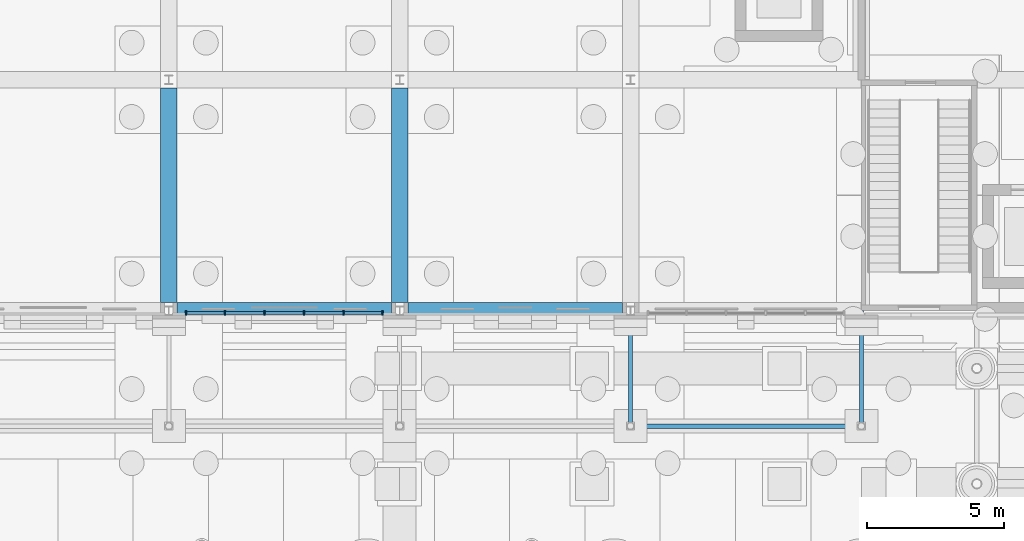
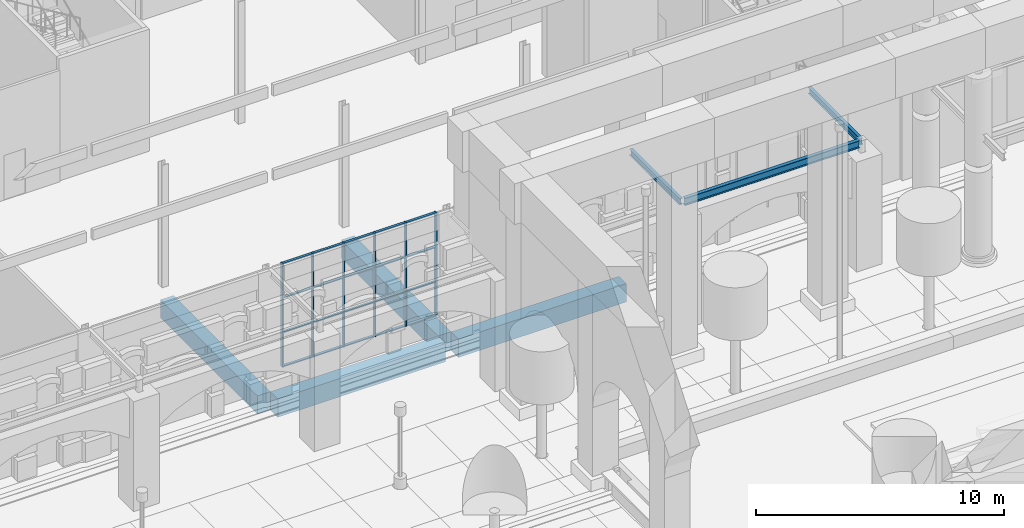
# One storey, part 39 of 222: 26 members, 7 beams, 1 element without a shape of its own.
"""IFC4 building model written with IfcOpenShell, lengths in metres."""

from ifc_helpers import new_model, si_unit, direction, frame, origin, origin_2d, place, context, subcontext, project, spatial, rectangle, i_section, extrude, material, material_profile, profile_set, type_object, element, aggregate, save


model = new_model("IFC4")

# Units and contexts
model_context = context("Model", 3, precision=1e-05, world=origin(), true_north=direction((0.0, 1.0)))
body_context = subcontext(model_context, "Body", "Model", "MODEL_VIEW")
ifc_project = project(units=[si_unit("LENGTHUNIT", "METRE"), si_unit("AREAUNIT", "SQUARE_METRE"), si_unit("VOLUMEUNIT", "CUBIC_METRE"), si_unit("PLANEANGLEUNIT", "RADIAN"), si_unit("MASSUNIT", "GRAM", prefix="KILO")], contexts=[model_context])

# Site, building, storey
site_placement = place(None, origin())
site = spatial("IfcSite", under=ifc_project, at=site_placement, CompositionType="ELEMENT")
building_placement = place(site_placement, origin())
building = spatial("IfcBuilding", under=site, at=building_placement, Name="Sava Quay Ferry Terminal", CompositionType="ELEMENT")
storey_placement = place(building_placement, origin())
storey = spatial("IfcBuildingStorey", under=building, at=storey_placement, Name="L00", CompositionType="ELEMENT", Elevation=0.0)

# Beams
ifc_material_1 = material(Name="Steel S355", Category="steel")
ifc_material_profile_1 = material_profile(ifc_material_1, i_section(OverallWidth=0.14990234375, OverallDepth=0.300048828125, WebThickness=0.007080078125, FlangeThickness=0.0107421875, at=origin_2d()), Name="IPE 300")
ifc_profile_set_1 = profile_set([ifc_material_profile_1], Name="Steel S355")
beam_type_1 = type_object("IfcBeamType", Name="Beam IPE 300", PredefinedType="BEAM", material=ifc_profile_set_1)
beam_1_placement = place(storey_placement, frame((33.60009765625, 21.0, 5.85009765625), z_axis=(0.0, 1.0, 0.0), x_axis=(-1.0, 0.0, 0.0)))
element("IfcBeam", 1, at=beam_1_placement, inside=storey, type_object=beam_type_1, Name="Arcade roof beam", PredefinedType="BEAM", context=body_context, shape_type="SweptSolid", body=[
    extrude(i_section(OverallWidth=0.14990234375, OverallDepth=0.300048828125, WebThickness=0.007080078125, FlangeThickness=0.0107421875, at=origin_2d()), origin(), (0.0, 0.0, 1.0), 4.050048828125),
])
beam_2_placement = place(storey_placement, frame((42.0, 21.0, 5.85009765625), z_axis=(0.0, 1.0, 0.0), x_axis=(-1.0, 0.0, 0.0)))
element("IfcBeam", 2, at=beam_2_placement, inside=storey, type_object=beam_type_1, Name="Arcade roof beam", PredefinedType="BEAM", context=body_context, shape_type="SweptSolid", body=[
    extrude(i_section(OverallWidth=0.14990234375, OverallDepth=0.300048828125, WebThickness=0.007080078125, FlangeThickness=0.0107421875, at=origin_2d()), origin(), (0.0, 0.0, 1.0), 4.199951171875),
])
ifc_material_2 = material(Name="Steel S355", Category="steel")
ifc_material_profile_2 = material_profile(ifc_material_2, i_section(OverallWidth=0.169921875, OverallDepth=0.360107421875, WebThickness=0.008056640625, FlangeThickness=0.0126953125, at=origin_2d()), Name="IPE 360")
ifc_profile_set_2 = profile_set([ifc_material_profile_2], Name="Steel S355")
beam_type_2 = type_object("IfcBeamType", Name="Beam IPE 360", PredefinedType="BEAM", material=ifc_profile_set_2)
beam_3_placement = place(storey_placement, frame((33.736572265625, 21.0, 5.820068359375), z_axis=(1.0, 0.0, 0.0), x_axis=(0.0, 1.0, 0.0)))
element("IfcBeam", 3, at=beam_3_placement, inside=storey, type_object=beam_type_2, Name="Arcade edge beam", PredefinedType="BEAM", context=body_context, shape_type="SweptSolid", body=[
    extrude(i_section(OverallWidth=0.169921875, OverallDepth=0.360107421875, WebThickness=0.008056640625, FlangeThickness=0.0126953125, at=origin_2d()), origin(), (0.0, 0.0, 1.0), 8.126953125),
])

# Curtain wall, members
ifc_material_3 = material(Name="Aluminium and glass curtain wall, double low-e glazed", Category="aluminium")
curtain_wall_type = type_object("IfcCurtainWallType", Name="Curtain wall CW-F flank", PredefinedType="NOTDEFINED", material=ifc_material_3)
curtain_wall_placement = place(storey_placement, origin())
curtain_wall = element("IfcCurtainWall", 4, at=curtain_wall_placement, inside=storey, type_object=curtain_wall_type, Name="Curtain wall W-S L00 bay 3", PredefinedType="NOTDEFINED")
ifc_material_4 = material(Name="Aluminium EN AW-6063 T6", Category="aluminium")
ifc_material_profile_3 = material_profile(ifc_material_4, rectangle(XDim=0.14990234375, YDim=0.06005859375, at=origin_2d()), Name="Mullion 60x150 aluminium")
ifc_profile_set_3 = profile_set([ifc_material_profile_3], Name="Aluminium EN AW-6063 T6")
member_type_1 = type_object("IfcMemberType", Name="Mullion 60x150 aluminium", PredefinedType="MULLION", material=ifc_profile_set_3)
member_1_placement = place(storey_placement, frame((17.429931640625, 25.114990234375, 0.89990234375), z_axis=(0.0, 0.0, 1.0), x_axis=(0.0, 1.0, 0.0)))
member_1 = element("IfcMember", 5, at=member_1_placement, type_object=member_type_1, Name="CW131 mullion 1", PredefinedType="MULLION", context=body_context, shape_type="SweptSolid", body=[
    extrude(rectangle(XDim=0.14990234375, YDim=0.06005859375, at=origin_2d()), origin(), (0.0, 0.0, 1.0), 5.10009765625),
])
member_2_placement = place(storey_placement, frame((18.840087890625, 25.114990234375, 0.89990234375), z_axis=(0.0, 0.0, 1.0), x_axis=(0.0, 1.0, 0.0)))
member_2 = element("IfcMember", 6, at=member_2_placement, type_object=member_type_1, Name="CW131 mullion 2", PredefinedType="MULLION", context=body_context, shape_type="SweptSolid", body=[
    extrude(rectangle(XDim=0.14990234375, YDim=0.06005859375, at=origin_2d()), origin(), (0.0, 0.0, 1.0), 5.10009765625),
])
member_3_placement = place(storey_placement, frame((20.280029296875, 25.114990234375, 0.89990234375), z_axis=(0.0, 0.0, 1.0), x_axis=(0.0, 1.0, 0.0)))
member_3 = element("IfcMember", 7, at=member_3_placement, type_object=member_type_1, Name="CW131 mullion 3", PredefinedType="MULLION", context=body_context, shape_type="SweptSolid", body=[
    extrude(rectangle(XDim=0.14990234375, YDim=0.06005859375, at=origin_2d()), origin(), (0.0, 0.0, 1.0), 5.10009765625),
])
member_4_placement = place(storey_placement, frame((21.719970703125, 25.114990234375, 0.89990234375), z_axis=(0.0, 0.0, 1.0), x_axis=(0.0, 1.0, 0.0)))
member_4 = element("IfcMember", 8, at=member_4_placement, type_object=member_type_1, Name="CW131 mullion 4", PredefinedType="MULLION", context=body_context, shape_type="SweptSolid", body=[
    extrude(rectangle(XDim=0.14990234375, YDim=0.06005859375, at=origin_2d()), origin(), (0.0, 0.0, 1.0), 5.10009765625),
])
member_5_placement = place(storey_placement, frame((23.159912109375, 25.114990234375, 0.89990234375), z_axis=(0.0, 0.0, 1.0), x_axis=(0.0, 1.0, 0.0)))
member_5 = element("IfcMember", 9, at=member_5_placement, type_object=member_type_1, Name="CW131 mullion 5", PredefinedType="MULLION", context=body_context, shape_type="SweptSolid", body=[
    extrude(rectangle(XDim=0.14990234375, YDim=0.06005859375, at=origin_2d()), origin(), (0.0, 0.0, 1.0), 5.10009765625),
])
member_6_placement = place(storey_placement, frame((24.570068359375, 25.114990234375, 0.89990234375), z_axis=(0.0, 0.0, 1.0), x_axis=(0.0, 1.0, 0.0)))
member_6 = element("IfcMember", 10, at=member_6_placement, type_object=member_type_1, Name="CW131 mullion 6", PredefinedType="MULLION", context=body_context, shape_type="SweptSolid", body=[
    extrude(rectangle(XDim=0.14990234375, YDim=0.06005859375, at=origin_2d()), origin(), (0.0, 0.0, 1.0), 5.10009765625),
])

# Beams
ifc_material_5 = material(Name="Concrete C40/50", Category="concrete")
ifc_material_profile_4 = material_profile(ifc_material_5, rectangle(XDim=0.60009765625, YDim=0.89990234375, at=origin_2d()), Name="RC 600x900")
ifc_profile_set_4 = profile_set([ifc_material_profile_4], Name="Concrete C40/50")
beam_type_3 = type_object("IfcBeamType", Name="RC deck beam 600x900", PredefinedType="BEAM", material=ifc_profile_set_4)
beam_4_placement = place(storey_placement, frame((17.10009765625, 25.199951171875, -0.89990234375), z_axis=(1.0, 0.0, 0.0), x_axis=(0.0, 1.0, 0.0)))
element("IfcBeam", 11, at=beam_4_placement, inside=storey, type_object=beam_type_3, Name="Deck beam X25.2-16.8", PredefinedType="BEAM", context=body_context, shape_type="SweptSolid", body=[
    extrude(rectangle(XDim=0.60009765625, YDim=0.89990234375, at=origin_2d()), origin(), (0.0, 0.0, 1.0), 7.7998046875),
])
for number, where, z_axis, x_axis, name in (
    (12, (25.5, 25.199951171875, -0.89990234375), (1.0, 0.0, 0.0), (0.0, 1.0, 0.0), "Deck beam X25.2-25.2"),
    (13, (16.800048828125, 25.5, -0.89990234375), (0.0, 1.0, 0.0), (-1.0, 0.0, 0.0), "Deck beam Y16.8-25.2"),
    (14, (25.199951171875, 25.5, -0.89990234375), (0.0, 1.0, 0.0), (-1.0, 0.0, 0.0), "Deck beam Y25.2-25.2"),
):
    element("IfcBeam", number, at=place(storey_placement, frame(where, z_axis=z_axis, x_axis=x_axis)), inside=storey, type_object=beam_type_3, Name=name, PredefinedType="BEAM", context=body_context, shape_type="SweptSolid", body=[
        extrude(rectangle(XDim=0.60009765625, YDim=0.89990234375, at=origin_2d()), origin(), (0.0, 0.0, 1.0), 7.800048828125),
    ])

# Member
ifc_material_6 = material(Name="Aluminium EN AW-6063 T6", Category="aluminium")
ifc_material_profile_5 = material_profile(ifc_material_6, rectangle(XDim=0.1201171875, YDim=0.050048828125, at=origin_2d()), Name="Transom 50x120 aluminium")
ifc_profile_set_5 = profile_set([ifc_material_profile_5], Name="Aluminium EN AW-6063 T6")
member_type_2 = type_object("IfcMemberType", Name="Transom 50x120 aluminium", PredefinedType="USERDEFINED", material=ifc_profile_set_5)
member_7_placement = place(storey_placement, frame((17.4599609375, 25.114990234375, 0.925048828125), z_axis=(1.0, 0.0, 0.0), x_axis=(0.0, 1.0, 0.0)))
member_7 = element("IfcMember", 15, at=member_7_placement, type_object=member_type_2, Name="CW131 transom 1.1", ObjectType="TRANSOM", PredefinedType="USERDEFINED", context=body_context, shape_type="SweptSolid", body=[
    extrude(rectangle(XDim=0.1201171875, YDim=0.050048828125, at=origin_2d()), origin(), (0.0, 0.0, 1.0), 1.35009765625),
])

member_8_placement = place(storey_placement, frame((17.4599609375, 25.114990234375, 2.60009765625), z_axis=(1.0, 0.0, 0.0), x_axis=(0.0, 1.0, 0.0)))
member_8 = element("IfcMember", 16, at=member_8_placement, type_object=member_type_2, Name="CW131 transom 1.2", ObjectType="TRANSOM", PredefinedType="USERDEFINED", context=body_context, shape_type="SweptSolid", body=[
    extrude(rectangle(XDim=0.1201171875, YDim=0.050048828125, at=origin_2d()), origin(), (0.0, 0.0, 1.0), 1.35009765625),
])

member_9_placement = place(storey_placement, frame((17.4599609375, 25.114990234375, 4.300048828125), z_axis=(1.0, 0.0, 0.0), x_axis=(0.0, 1.0, 0.0)))
member_9 = element("IfcMember", 17, at=member_9_placement, type_object=member_type_2, Name="CW131 transom 1.3", ObjectType="TRANSOM", PredefinedType="USERDEFINED", context=body_context, shape_type="SweptSolid", body=[
    extrude(rectangle(XDim=0.1201171875, YDim=0.050048828125, at=origin_2d()), origin(), (0.0, 0.0, 1.0), 1.35009765625),
])

member_10_placement = place(storey_placement, frame((17.4599609375, 25.114990234375, 5.97509765625), z_axis=(1.0, 0.0, 0.0), x_axis=(0.0, 1.0, 0.0)))
member_10 = element("IfcMember", 18, at=member_10_placement, type_object=member_type_2, Name="CW131 transom 1.4", ObjectType="TRANSOM", PredefinedType="USERDEFINED", context=body_context, shape_type="SweptSolid", body=[
    extrude(rectangle(XDim=0.1201171875, YDim=0.050048828125, at=origin_2d()), origin(), (0.0, 0.0, 1.0), 1.35009765625),
])

member_11_placement = place(storey_placement, frame((18.8701171875, 25.114990234375, 0.925048828125), z_axis=(1.0, 0.0, 0.0), x_axis=(0.0, 1.0, 0.0)))
member_11 = element("IfcMember", 19, at=member_11_placement, type_object=member_type_2, Name="CW131 transom 2.1", ObjectType="TRANSOM", PredefinedType="USERDEFINED", context=body_context, shape_type="SweptSolid", body=[
    extrude(rectangle(XDim=0.1201171875, YDim=0.050048828125, at=origin_2d()), origin(), (0.0, 0.0, 1.0), 1.3798828125),
])

member_12_placement = place(storey_placement, frame((18.8701171875, 25.114990234375, 2.60009765625), z_axis=(1.0, 0.0, 0.0), x_axis=(0.0, 1.0, 0.0)))
member_12 = element("IfcMember", 20, at=member_12_placement, type_object=member_type_2, Name="CW131 transom 2.2", ObjectType="TRANSOM", PredefinedType="USERDEFINED", context=body_context, shape_type="SweptSolid", body=[
    extrude(rectangle(XDim=0.1201171875, YDim=0.050048828125, at=origin_2d()), origin(), (0.0, 0.0, 1.0), 1.3798828125),
])

member_13_placement = place(storey_placement, frame((18.8701171875, 25.114990234375, 4.300048828125), z_axis=(1.0, 0.0, 0.0), x_axis=(0.0, 1.0, 0.0)))
member_13 = element("IfcMember", 21, at=member_13_placement, type_object=member_type_2, Name="CW131 transom 2.3", ObjectType="TRANSOM", PredefinedType="USERDEFINED", context=body_context, shape_type="SweptSolid", body=[
    extrude(rectangle(XDim=0.1201171875, YDim=0.050048828125, at=origin_2d()), origin(), (0.0, 0.0, 1.0), 1.3798828125),
])

member_14_placement = place(storey_placement, frame((18.8701171875, 25.114990234375, 5.97509765625), z_axis=(1.0, 0.0, 0.0), x_axis=(0.0, 1.0, 0.0)))
member_14 = element("IfcMember", 22, at=member_14_placement, type_object=member_type_2, Name="CW131 transom 2.4", ObjectType="TRANSOM", PredefinedType="USERDEFINED", context=body_context, shape_type="SweptSolid", body=[
    extrude(rectangle(XDim=0.1201171875, YDim=0.050048828125, at=origin_2d()), origin(), (0.0, 0.0, 1.0), 1.3798828125),
])

member_15_placement = place(storey_placement, frame((20.31005859375, 25.114990234375, 0.925048828125), z_axis=(1.0, 0.0, 0.0), x_axis=(0.0, 1.0, 0.0)))
member_15 = element("IfcMember", 23, at=member_15_placement, type_object=member_type_2, Name="CW131 transom 3.1", ObjectType="TRANSOM", PredefinedType="USERDEFINED", context=body_context, shape_type="SweptSolid", body=[
    extrude(rectangle(XDim=0.1201171875, YDim=0.050048828125, at=origin_2d()), origin(), (0.0, 0.0, 1.0), 1.3798828125),
])

member_16_placement = place(storey_placement, frame((20.31005859375, 25.114990234375, 2.60009765625), z_axis=(1.0, 0.0, 0.0), x_axis=(0.0, 1.0, 0.0)))
member_16 = element("IfcMember", 24, at=member_16_placement, type_object=member_type_2, Name="CW131 transom 3.2", ObjectType="TRANSOM", PredefinedType="USERDEFINED", context=body_context, shape_type="SweptSolid", body=[
    extrude(rectangle(XDim=0.1201171875, YDim=0.050048828125, at=origin_2d()), origin(), (0.0, 0.0, 1.0), 1.3798828125),
])

member_17_placement = place(storey_placement, frame((20.31005859375, 25.114990234375, 4.300048828125), z_axis=(1.0, 0.0, 0.0), x_axis=(0.0, 1.0, 0.0)))
member_17 = element("IfcMember", 25, at=member_17_placement, type_object=member_type_2, Name="CW131 transom 3.3", ObjectType="TRANSOM", PredefinedType="USERDEFINED", context=body_context, shape_type="SweptSolid", body=[
    extrude(rectangle(XDim=0.1201171875, YDim=0.050048828125, at=origin_2d()), origin(), (0.0, 0.0, 1.0), 1.3798828125),
])

member_18_placement = place(storey_placement, frame((20.31005859375, 25.114990234375, 5.97509765625), z_axis=(1.0, 0.0, 0.0), x_axis=(0.0, 1.0, 0.0)))
member_18 = element("IfcMember", 26, at=member_18_placement, type_object=member_type_2, Name="CW131 transom 3.4", ObjectType="TRANSOM", PredefinedType="USERDEFINED", context=body_context, shape_type="SweptSolid", body=[
    extrude(rectangle(XDim=0.1201171875, YDim=0.050048828125, at=origin_2d()), origin(), (0.0, 0.0, 1.0), 1.3798828125),
])

member_19_placement = place(storey_placement, frame((21.75, 25.114990234375, 0.925048828125), z_axis=(1.0, 0.0, 0.0), x_axis=(0.0, 1.0, 0.0)))
member_19 = element("IfcMember", 27, at=member_19_placement, type_object=member_type_2, Name="CW131 transom 4.1", ObjectType="TRANSOM", PredefinedType="USERDEFINED", context=body_context, shape_type="SweptSolid", body=[
    extrude(rectangle(XDim=0.1201171875, YDim=0.050048828125, at=origin_2d()), origin(), (0.0, 0.0, 1.0), 1.3798828125),
])

member_20_placement = place(storey_placement, frame((21.75, 25.114990234375, 2.60009765625), z_axis=(1.0, 0.0, 0.0), x_axis=(0.0, 1.0, 0.0)))
member_20 = element("IfcMember", 28, at=member_20_placement, type_object=member_type_2, Name="CW131 transom 4.2", ObjectType="TRANSOM", PredefinedType="USERDEFINED", context=body_context, shape_type="SweptSolid", body=[
    extrude(rectangle(XDim=0.1201171875, YDim=0.050048828125, at=origin_2d()), origin(), (0.0, 0.0, 1.0), 1.3798828125),
])

member_21_placement = place(storey_placement, frame((21.75, 25.114990234375, 4.300048828125), z_axis=(1.0, 0.0, 0.0), x_axis=(0.0, 1.0, 0.0)))
member_21 = element("IfcMember", 29, at=member_21_placement, type_object=member_type_2, Name="CW131 transom 4.3", ObjectType="TRANSOM", PredefinedType="USERDEFINED", context=body_context, shape_type="SweptSolid", body=[
    extrude(rectangle(XDim=0.1201171875, YDim=0.050048828125, at=origin_2d()), origin(), (0.0, 0.0, 1.0), 1.3798828125),
])

member_22_placement = place(storey_placement, frame((21.75, 25.114990234375, 5.97509765625), z_axis=(1.0, 0.0, 0.0), x_axis=(0.0, 1.0, 0.0)))
member_22 = element("IfcMember", 30, at=member_22_placement, type_object=member_type_2, Name="CW131 transom 4.4", ObjectType="TRANSOM", PredefinedType="USERDEFINED", context=body_context, shape_type="SweptSolid", body=[
    extrude(rectangle(XDim=0.1201171875, YDim=0.050048828125, at=origin_2d()), origin(), (0.0, 0.0, 1.0), 1.3798828125),
])

member_23_placement = place(storey_placement, frame((23.18994140625, 25.114990234375, 0.925048828125), z_axis=(1.0, 0.0, 0.0), x_axis=(0.0, 1.0, 0.0)))
member_23 = element("IfcMember", 31, at=member_23_placement, type_object=member_type_2, Name="CW131 transom 5.1", ObjectType="TRANSOM", PredefinedType="USERDEFINED", context=body_context, shape_type="SweptSolid", body=[
    extrude(rectangle(XDim=0.1201171875, YDim=0.050048828125, at=origin_2d()), origin(), (0.0, 0.0, 1.0), 1.35009765625),
])

member_24_placement = place(storey_placement, frame((23.18994140625, 25.114990234375, 2.60009765625), z_axis=(1.0, 0.0, 0.0), x_axis=(0.0, 1.0, 0.0)))
member_24 = element("IfcMember", 32, at=member_24_placement, type_object=member_type_2, Name="CW131 transom 5.2", ObjectType="TRANSOM", PredefinedType="USERDEFINED", context=body_context, shape_type="SweptSolid", body=[
    extrude(rectangle(XDim=0.1201171875, YDim=0.050048828125, at=origin_2d()), origin(), (0.0, 0.0, 1.0), 1.35009765625),
])

member_25_placement = place(storey_placement, frame((23.18994140625, 25.114990234375, 4.300048828125), z_axis=(1.0, 0.0, 0.0), x_axis=(0.0, 1.0, 0.0)))
member_25 = element("IfcMember", 33, at=member_25_placement, type_object=member_type_2, Name="CW131 transom 5.3", ObjectType="TRANSOM", PredefinedType="USERDEFINED", context=body_context, shape_type="SweptSolid", body=[
    extrude(rectangle(XDim=0.1201171875, YDim=0.050048828125, at=origin_2d()), origin(), (0.0, 0.0, 1.0), 1.35009765625),
])

member_26_placement = place(storey_placement, frame((23.18994140625, 25.114990234375, 5.97509765625), z_axis=(1.0, 0.0, 0.0), x_axis=(0.0, 1.0, 0.0)))
member_26 = element("IfcMember", 34, at=member_26_placement, type_object=member_type_2, Name="CW131 transom 5.4", ObjectType="TRANSOM", PredefinedType="USERDEFINED", context=body_context, shape_type="SweptSolid", body=[
    extrude(rectangle(XDim=0.1201171875, YDim=0.050048828125, at=origin_2d()), origin(), (0.0, 0.0, 1.0), 1.35009765625),
])

aggregate(curtain_wall, [member_1, member_2, member_3, member_4, member_5, member_6, member_7, member_8, member_9, member_10, member_11, member_12, member_13, member_14, member_15, member_16, member_17, member_18, member_19, member_20, member_21, member_22, member_23, member_24, member_25, member_26])

save(model, "model.ifc")
